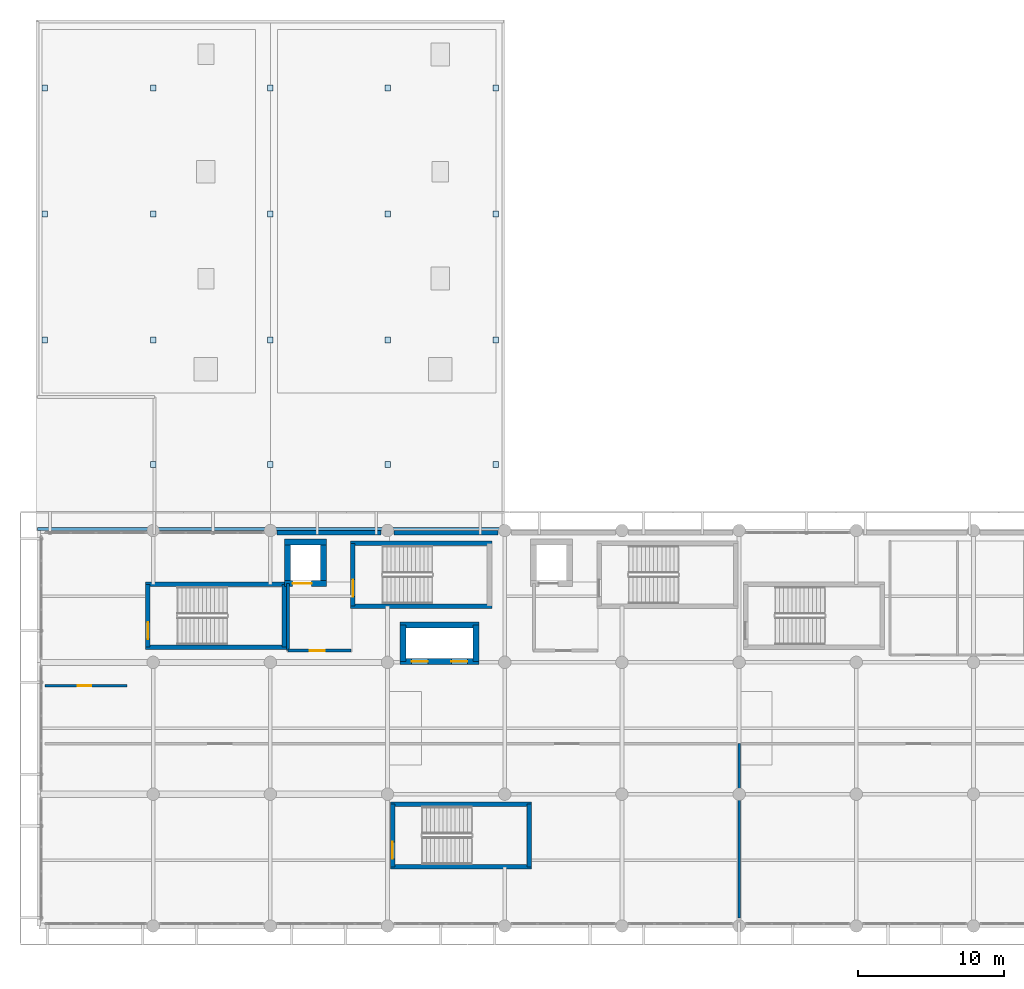
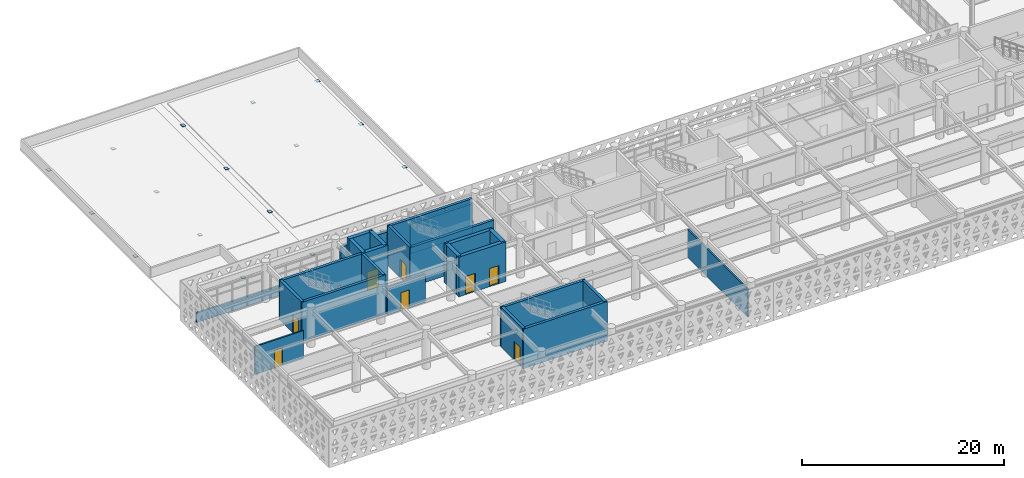
# One storey, part 35 of 54: 26 walls, 19 plates, 8 doors, 8 openings.
"""IFC4 building model written with IfcOpenShell, lengths in metres."""

from ifc_helpers import new_model, si_unit, direction, frame, frame_2d, origin, origin_2d, place, context, subcontext, project, spatial, rectangle, extrude, material, layer, layer_set, type_object, element, fill, save


model = new_model("IFC4")

# Units and contexts
model_context = context("Model", 3, precision=1e-05, world=origin(), true_north=direction((0.0, 1.0)))
body_context = subcontext(model_context, "Body", "Model", "MODEL_VIEW")
ifc_project = project(units=[si_unit("LENGTHUNIT", "METRE"), si_unit("AREAUNIT", "SQUARE_METRE"), si_unit("VOLUMEUNIT", "CUBIC_METRE"), si_unit("PLANEANGLEUNIT", "RADIAN"), si_unit("MASSUNIT", "GRAM", prefix="KILO")], contexts=[model_context])

# Site, building, storey
site_placement = place(None, origin())
site = spatial("IfcSite", under=ifc_project, at=site_placement, CompositionType="ELEMENT")
building_placement = place(site_placement, origin())
building = spatial("IfcBuilding", under=site, at=building_placement, Name="Tlacozan Convention Centre", CompositionType="ELEMENT")
storey_placement = place(building_placement, frame((0.0, 0.0, 11.39990234375)))
storey = spatial("IfcBuildingStorey", under=building, at=storey_placement, Name="L02", CompositionType="ELEMENT", Elevation=11.39990234375)

# Plates
ifc_material_1 = material(Name="Steel ASTM A572 Grade 50", Category="steel")
ifc_layer_1 = layer(ifc_material_1, 0.034912109375)
ifc_layer_set_1 = layer_set([ifc_layer_1], Name="Steel ASTM A572 Grade 50")
plate_type = type_object("IfcPlateType", Name="Arch Crown Splice Gusset Plate", PredefinedType="SHEET", material=ifc_layer_set_1)
for number, where, z_axis, x_axis, name in (
    (1, (0.60009765625, 40.0, 0.0), (0.0, 0.0, 1.0), (1.0, 0.0, 0.0), "L01 Hollow Column Top Cap Plate 30"),
    (2, (0.60009765625, 48.60009765625, 0.0), (0.0, 0.0, 1.0), (1.0, 0.0, 0.0), "L01 Hollow Column Top Cap Plate 33"),
    (3, (0.60009765625, 57.199951171875, 0.0), (0.0, 0.0, 1.0), (1.0, 0.0, 0.0), "L01 Hollow Column Top Cap Plate 36"),
    (4, (8.0, 31.5, 0.0), (0.0, 0.0, 1.0), (1.0, 0.0, 0.0), "L01 Hollow Column Top Cap Plate 63"),
    (5, (8.0, 40.0, 0.0), (0.0, 0.0, 1.0), (1.0, 0.0, 0.0), "L01 Hollow Column Top Cap Plate 66"),
    (6, (8.0, 48.60009765625, 0.0), (0.0, 0.0, 1.0), (1.0, 0.0, 0.0), "L01 Hollow Column Top Cap Plate 69"),
    (7, (8.0, 57.199951171875, 0.0), (0.0, 0.0, 1.0), (1.0, 0.0, 0.0), "L01 Hollow Column Top Cap Plate 72"),
    (8, (16.0, 31.5, 0.0), (0.0, 0.0, 1.0), (1.0, 0.0, 0.0), "L01 Hollow Column Top Cap Plate 112"),
    (9, (16.0, 40.0, 0.0), (0.0, 0.0, 1.0), (1.0, 0.0, 0.0), "L01 Hollow Column Top Cap Plate 115"),
    (10, (16.0, 48.60009765625, 0.0), (0.0, 0.0, 1.0), (1.0, 0.0, 0.0), "L01 Hollow Column Top Cap Plate 118"),
    (11, (16.0, 57.199951171875, 0.0), (0.0, 0.0, 1.0), (1.0, 0.0, 0.0), "L01 Hollow Column Top Cap Plate 121"),
    (12, (24.0, 31.5, 0.0), (0.0, 0.0, 1.0), (1.0, 0.0, 0.0), "L01 Hollow Column Top Cap Plate 161"),
    (13, (24.0, 40.0, 0.0), (0.0, 0.0, 1.0), (1.0, 0.0, 0.0), "L01 Hollow Column Top Cap Plate 164"),
    (14, (24.0, 48.60009765625, 0.0), (0.0, 0.0, 1.0), (1.0, 0.0, 0.0), "L01 Hollow Column Top Cap Plate 167"),
    (15, (24.0, 57.199951171875, 0.0), (0.0, 0.0, 1.0), (1.0, 0.0, 0.0), "L01 Hollow Column Top Cap Plate 170"),
    (16, (31.39990234375, 31.5, 0.0), (0.0, 0.0, 1.0), (1.0, 0.0, 0.0), "L01 Hollow Column Top Cap Plate 186"),
    (17, (31.39990234375, 40.0, 0.0), (0.0, 0.0, 1.0), (1.0, 0.0, 0.0), "L01 Hollow Column Top Cap Plate 189"),
    (18, (31.39990234375, 48.60009765625, 0.0), (0.0, 0.0, 1.0), (1.0, 0.0, 0.0), "L01 Hollow Column Top Cap Plate 192"),
    (19, (31.39990234375, 57.199951171875, 0.0), (0.0, 0.0, 1.0), (1.0, 0.0, 0.0), "L01 Hollow Column Top Cap Plate 195"),
):
    element("IfcPlate", number, at=place(storey_placement, frame(where, z_axis=z_axis, x_axis=x_axis)), inside=storey, type_object=plate_type, Name=name, PredefinedType="SHEET", context=body_context, shape_type="SweptSolid", body=[
        extrude(rectangle(XDim=0.3798828125, YDim=0.419921875, at=origin_2d()), origin(), (0.0, 0.0, 1.0), 0.034912109375),
    ])

# Walls
ifc_material_2 = material(Name="Volcanic Cantera Stone Masonry", Category="masonry")
ifc_layer_2 = layer(ifc_material_2, 0.300048828125)
ifc_layer_set_2 = layer_set([ifc_layer_2], Name="Volcanic Cantera Stone Masonry")
wall_type_1 = type_object("IfcWallType", Name="Congress Spandrel Backup Wall 300", PredefinedType="SOLIDWALL", material=ifc_layer_set_2)
for number, where, z_axis, x_axis, name in (
    (20, (16.449951171875, 26.840087890625, 0.0), (0.0, 0.0, 1.0), (1.0, 0.0, 0.0), "L02 Congress Spandrel Backup Wall 300 116"),
    (21, (24.449951171875, 26.840087890625, 0.0), (0.0, 0.0, 1.0), (1.0, 0.0, 0.0), "L02 Congress Spandrel Backup Wall 300 117"),
):
    element("IfcWall", number, at=place(storey_placement, frame(where, z_axis=z_axis, x_axis=x_axis)), inside=storey, type_object=wall_type_1, Name=name, PredefinedType="SOLIDWALL", context=body_context, shape_type="SweptSolid", body=[
        extrude(rectangle(XDim=7.10009765625, YDim=0.300048828125, at=frame_2d((3.550048828125, 0.0))), origin(), (0.0, 0.0, 1.0), 3.590087890625),
    ])

# Wall, opening, door
ifc_material_3 = material(Name="Concrete C40/50", Category="concrete")
ifc_layer_3 = layer(ifc_material_3, 0.409912109375)
ifc_layer_set_3 = layer_set([ifc_layer_3], Name="Concrete C40/50")
wall_type_2 = type_object("IfcWallType", Name="Core Shear Wall RC 410", PredefinedType="SHEAR", material=ifc_layer_set_3)
wall_1_placement = place(storey_placement, frame((16.97509765625, 23.3798828125, 0.0), z_axis=(0.0, 0.0, 1.0), x_axis=(1.0, 0.0, 0.0)))
wall_1 = element("IfcWall", 22, at=wall_1_placement, inside=storey, type_object=wall_type_2, Name="L02 Core Shear Wall RC 410 49", PredefinedType="SHEAR", context=body_context, shape_type="SweptSolid", body=[
    extrude(rectangle(XDim=2.849853515625, YDim=0.409912109375, at=frame_2d((1.4248046875, 0.0))), origin(), (0.0, 0.0, 1.0), 4.800048828125),
])
opening_1_placement = place(wall_1_placement, frame((0.550048828125, 0.0, 0.0)))
opening_1 = element("IfcOpeningElement", 23, at=opening_1_placement, cuts=wall_1, Name="Opening LD-02", PredefinedType="OPENING", context=body_context, shape_type="SweptSolid", body=[
    extrude(rectangle(XDim=1.300048828125, YDim=2.25, at=frame_2d((0.64990234375, 1.125))), frame((0.0, 0.21484375, 0.0), z_axis=(0.0, -1.0, 0.0), x_axis=(1.0, 0.0, 0.0)), (0.0, 0.0, 1.0), 0.429931640625),
])
ifc_material_4 = material(Name="Brushed Stainless Steel Sliding Landing Door", Category="steel")
door_type_1 = type_object("IfcDoorType", Name="Firefighting Lift Sliding Door 1300x2250", OperationType="DOUBLE_DOOR_SLIDING", PredefinedType="DOOR", material=ifc_material_4)
door_1_placement = place(opening_1_placement, origin())
door_1 = element("IfcDoor", 24, at=door_1_placement, inside=storey, type_object=door_type_1, Name="L02 Firefighting Lift FL-01 Landing Door", OperationType="DOUBLE_DOOR_SLIDING", OverallHeight=2.25, OverallWidth=1.300048828125, PredefinedType="DOOR", context=body_context, shape_type="SweptSolid", body=[
    extrude(rectangle(XDim=1.300048828125, YDim=2.25, at=frame_2d((0.64990234375, 1.125))), frame((0.0, 0.02490234375, 0.0), z_axis=(0.0, -1.0, 0.0), x_axis=(1.0, 0.0, 0.0)), (0.0, 0.0, 1.0), 0.050048828125),
])
fill(opening_1, door_1)

# Walls
wall_2_placement = place(storey_placement, frame((16.97509765625, 26.219970703125, 0.0), z_axis=(0.0, 0.0, 1.0), x_axis=(1.0, 0.0, 0.0)))
element("IfcWall", 25, at=wall_2_placement, inside=storey, type_object=wall_type_2, Name="L02 Core Shear Wall RC 410 50", PredefinedType="SHEAR", context=body_context, shape_type="SweptSolid", body=[
    extrude(rectangle(XDim=2.849853515625, YDim=0.409912109375, at=frame_2d((1.4248046875, 0.0))), origin(), (0.0, 0.0, 1.0), 4.800048828125),
])
for number, where, z_axis, x_axis, name in (
    (26, (17.179931640625, 23.3798828125, 0.0), (0.0, 0.0, 1.0), (0.0, 1.0, 0.0), "L02 Core Shear Wall RC 410 51"),
    (27, (19.6201171875, 23.3798828125, 0.0), (0.0, 0.0, 1.0), (0.0, 1.0, 0.0), "L02 Core Shear Wall RC 410 52"),
):
    element("IfcWall", number, at=place(storey_placement, frame(where, z_axis=z_axis, x_axis=x_axis)), inside=storey, type_object=wall_type_2, Name=name, PredefinedType="SHEAR", context=body_context, shape_type="SweptSolid", body=[
        extrude(rectangle(XDim=2.840087890625, YDim=0.409912109375, at=frame_2d((1.419921875, 0.0))), origin(), (0.0, 0.0, 1.0), 4.800048828125),
    ])

# Wall, openings, doors
wall_3_placement = place(storey_placement, frame((24.85498046875, 18.06005859375, 0.0), z_axis=(0.0, 0.0, 1.0), x_axis=(1.0, 0.0, 0.0)))
wall_3 = element("IfcWall", 28, at=wall_3_placement, inside=storey, type_object=wall_type_2, Name="L02 Core Shear Wall RC 410 53", PredefinedType="SHEAR", context=body_context, shape_type="SweptSolid", body=[
    extrude(rectangle(XDim=5.39013671875, YDim=0.409912109375, at=frame_2d((2.695068359375, 0.0))), origin(), (0.0, 0.0, 1.0), 4.800048828125),
])
opening_2_placement = place(wall_3_placement, frame((0.794921875, 0.0, 0.0)))
opening_2 = element("IfcOpeningElement", 29, at=opening_2_placement, cuts=wall_3, Name="Opening LD-01", PredefinedType="OPENING", context=body_context, shape_type="SweptSolid", body=[
    extrude(rectangle(XDim=1.10009765625, YDim=2.199951171875, at=frame_2d((0.550048828125, 1.10009765625))), frame((0.0, 0.21484375, 0.0), z_axis=(0.0, -1.0, 0.0), x_axis=(1.0, 0.0, 0.0)), (0.0, 0.0, 1.0), 0.429931640625),
])
opening_3_placement = place(wall_3_placement, frame((3.4951171875, 0.0, 0.0)))
opening_3 = element("IfcOpeningElement", 30, at=opening_3_placement, cuts=wall_3, Name="Opening LD-01", PredefinedType="OPENING", context=body_context, shape_type="SweptSolid", body=[
    extrude(rectangle(XDim=1.10009765625, YDim=2.199951171875, at=frame_2d((0.550048828125, 1.10009765625))), frame((0.0, 0.21484375, 0.0), z_axis=(0.0, -1.0, 0.0), x_axis=(1.0, 0.0, 0.0)), (0.0, 0.0, 1.0), 0.429931640625),
])
door_type_2 = type_object("IfcDoorType", Name="Lift Sliding Landing Door 1100x2200", OperationType="DOUBLE_DOOR_SLIDING", PredefinedType="DOOR", material=ifc_material_4)
door_2_placement = place(opening_2_placement, origin())
door_2 = element("IfcDoor", 31, at=door_2_placement, inside=storey, type_object=door_type_2, Name="L02 Lift PL-01 Landing Door", OperationType="DOUBLE_DOOR_SLIDING", OverallHeight=2.199951171875, OverallWidth=1.10009765625, PredefinedType="DOOR", context=body_context, shape_type="SweptSolid", body=[
    extrude(rectangle(XDim=1.10009765625, YDim=2.199951171875, at=frame_2d((0.550048828125, 1.10009765625))), frame((0.0, 0.02490234375, 0.0), z_axis=(0.0, -1.0, 0.0), x_axis=(1.0, 0.0, 0.0)), (0.0, 0.0, 1.0), 0.050048828125),
])
fill(opening_2, door_2)
door_3_placement = place(opening_3_placement, origin())
door_3 = element("IfcDoor", 32, at=door_3_placement, inside=storey, type_object=door_type_2, Name="L02 Lift PL-02 Landing Door", OperationType="DOUBLE_DOOR_SLIDING", OverallHeight=2.199951171875, OverallWidth=1.10009765625, PredefinedType="DOOR", context=body_context, shape_type="SweptSolid", body=[
    extrude(rectangle(XDim=1.10009765625, YDim=2.199951171875, at=frame_2d((0.550048828125, 1.10009765625))), frame((0.0, 0.02490234375, 0.0), z_axis=(0.0, -1.0, 0.0), x_axis=(1.0, 0.0, 0.0)), (0.0, 0.0, 1.0), 0.050048828125),
])
fill(opening_3, door_3)

# Walls
wall_4_placement = place(storey_placement, frame((24.85498046875, 20.5400390625, 0.0), z_axis=(0.0, 0.0, 1.0), x_axis=(1.0, 0.0, 0.0)))
element("IfcWall", 33, at=wall_4_placement, inside=storey, type_object=wall_type_2, Name="L02 Core Shear Wall RC 410 54", PredefinedType="SHEAR", context=body_context, shape_type="SweptSolid", body=[
    extrude(rectangle(XDim=5.39013671875, YDim=0.409912109375, at=frame_2d((2.695068359375, 0.0))), origin(), (0.0, 0.0, 1.0), 4.800048828125),
])
for number, where, z_axis, x_axis, name in (
    (34, (25.06005859375, 18.06005859375, 0.0), (0.0, 0.0, 1.0), (0.0, 1.0, 0.0), "L02 Core Shear Wall RC 410 55"),
    (35, (30.0400390625, 18.06005859375, 0.0), (0.0, 0.0, 1.0), (0.0, 1.0, 0.0), "L02 Core Shear Wall RC 410 56"),
):
    element("IfcWall", number, at=place(storey_placement, frame(where, z_axis=z_axis, x_axis=x_axis)), inside=storey, type_object=wall_type_2, Name=name, PredefinedType="SHEAR", context=body_context, shape_type="SweptSolid", body=[
        extrude(rectangle(XDim=2.47998046875, YDim=0.409912109375, at=frame_2d((1.239990234375, 0.0))), origin(), (0.0, 0.0, 1.0), 4.800048828125),
    ])

# Wall, opening, door
ifc_material_5 = material(Name="Fire-Rated Gypsum Stud Partition Assembly")
ifc_layer_4 = layer(ifc_material_5, 0.2099609375)
ifc_layer_set_4 = layer_set([ifc_layer_4], Name="Fire-Rated Gypsum Stud Partition Assembly")
wall_type_3 = type_object("IfcWallType", Name="Firefighting Lobby Rated Wall 210", PredefinedType="PARTITIONING", material=ifc_layer_set_4)
wall_5_placement = place(storey_placement, frame((17.199951171875, 18.800048828125, 0.0), z_axis=(0.0, 0.0, 1.0), x_axis=(1.0, 0.0, 0.0)))
wall_5 = element("IfcWall", 36, at=wall_5_placement, inside=storey, type_object=wall_type_3, Name="L02 Firefighting Lobby Rated Wall 210 47", PredefinedType="PARTITIONING", context=body_context, shape_type="SweptSolid", body=[
    extrude(rectangle(XDim=4.300048828125, YDim=0.2099609375, at=frame_2d((2.14990234375, 0.0))), origin(), (0.0, 0.0, 1.0), 3.400146484375),
])
opening_4_placement = place(wall_5_placement, frame((1.5, 0.0, 0.0)))
opening_4 = element("IfcOpeningElement", 37, at=opening_4_placement, cuts=wall_5, Name="Opening FD-01", PredefinedType="OPENING", context=body_context, shape_type="SweptSolid", body=[
    extrude(rectangle(XDim=1.0, YDim=2.14990234375, at=frame_2d((0.5, 1.074951171875))), frame((0.0, 0.114990234375, 0.0), z_axis=(0.0, -1.0, 0.0), x_axis=(1.0, 0.0, 0.0)), (0.0, 0.0, 1.0), 0.22998046875),
])
ifc_material_6 = material(Name="Fire-Rated Insulated Steel Door Leaf", Category="steel")
door_type_3 = type_object("IfcDoorType", Name="Fire Door Single 1000x2150 FD90", OperationType="NOTDEFINED", PredefinedType="DOOR", material=ifc_material_6)
door_4_placement = place(opening_4_placement, origin())
door_4 = element("IfcDoor", 38, at=door_4_placement, inside=storey, type_object=door_type_3, Name="L02 CORE-1 Firefighting Lobby Entry Door", OperationType="SINGLE_SWING_RIGHT", OverallHeight=2.14990234375, OverallWidth=1.0, PredefinedType="DOOR", context=body_context, shape_type="SweptSolid", body=[
    extrude(rectangle(XDim=1.0, YDim=2.14990234375, at=frame_2d((0.5, 1.074951171875))), frame((0.0, 0.02490234375, 0.0), z_axis=(0.0, -1.0, 0.0), x_axis=(1.0, 0.0, 0.0)), (0.0, 0.0, 1.0), 0.050048828125),
])
fill(opening_4, door_4)

# Walls
wall_6_placement = place(storey_placement, frame((17.199951171875, 18.800048828125, 0.0), z_axis=(0.0, 0.0, 1.0), x_axis=(0.0, 1.0, 0.0)))
element("IfcWall", 39, at=wall_6_placement, inside=storey, type_object=wall_type_3, Name="L02 Firefighting Lobby Rated Wall 210 48", PredefinedType="PARTITIONING", context=body_context, shape_type="SweptSolid", body=[
    extrude(rectangle(XDim=4.599853515625, YDim=0.2099609375, at=frame_2d((2.2998046875, 0.0))), origin(), (0.0, 0.0, 1.0), 3.400146484375),
])
ifc_material_7 = material(Name="Acoustic Double-Stud Partition Assembly")
ifc_layer_5 = layer(ifc_material_7, 0.159912109375)
ifc_layer_set_5 = layer_set([ifc_layer_5], Name="Acoustic Double-Stud Partition Assembly")
wall_type_4 = type_object("IfcWallType", Name="Meeting Acoustic Partition 160", PredefinedType="PARTITIONING", material=ifc_layer_set_5)
wall_7_placement = place(storey_placement, frame((48.0, 0.550048828125, 0.0), z_axis=(0.0, 0.0, 1.0), x_axis=(0.0, 1.0, 0.0)))
element("IfcWall", 40, at=wall_7_placement, inside=storey, type_object=wall_type_4, Name="L02 Meeting Acoustic Partition 160 595", PredefinedType="PARTITIONING", context=body_context, shape_type="SweptSolid", body=[
    extrude(rectangle(XDim=11.89990234375, YDim=0.159912109375, at=frame_2d((5.949951171875, 0.0))), origin(), (0.0, 0.0, 1.0), 3.400146484375),
])

# Wall, opening, door
wall_8_placement = place(storey_placement, frame((0.60009765625, 16.39990234375, 0.0), z_axis=(0.0, 0.0, 1.0), x_axis=(1.0, 0.0, 0.0)))
wall_8 = element("IfcWall", 41, at=wall_8_placement, inside=storey, type_object=wall_type_4, Name="L02 Meeting Acoustic Partition 160 598", PredefinedType="PARTITIONING", context=body_context, shape_type="SweptSolid", body=[
    extrude(rectangle(XDim=5.599853515625, YDim=0.159912109375, at=frame_2d((2.7998046875, 0.0))), origin(), (0.0, 0.0, 1.0), 3.400146484375),
])
opening_5_placement = place(wall_8_placement, frame((2.25, 0.0, 0.0)))
opening_5 = element("IfcOpeningElement", 42, at=opening_5_placement, cuts=wall_8, Name="Opening ID-14", PredefinedType="OPENING", context=body_context, shape_type="SweptSolid", body=[
    extrude(rectangle(XDim=0.919921875, YDim=2.14990234375, at=frame_2d((0.4599609375, 1.074951171875))), frame((0.0, 0.08984375, 0.0), z_axis=(0.0, -1.0, 0.0), x_axis=(1.0, 0.0, 0.0)), (0.0, 0.0, 1.0), 0.179931640625),
])
ifc_material_8 = material(Name="Acoustic Solid-Core Oak Veneer Door")
door_type_4 = type_object("IfcDoorType", Name="Interpretation Booth Door 920x2150", OperationType="NOTDEFINED", PredefinedType="DOOR", material=ifc_material_8)
door_5_placement = place(opening_5_placement, origin())
door_5 = element("IfcDoor", 43, at=door_5_placement, inside=storey, type_object=door_type_4, Name="L02 Interpretation Booth Door 920x2150 192", OperationType="SINGLE_SWING_LEFT", OverallHeight=2.14990234375, OverallWidth=0.919921875, PredefinedType="DOOR", context=body_context, shape_type="SweptSolid", body=[
    extrude(rectangle(XDim=0.919921875, YDim=2.14990234375, at=frame_2d((0.4599609375, 1.074951171875))), frame((0.0, 0.02490234375, 0.0), z_axis=(0.0, -1.0, 0.0), x_axis=(1.0, 0.0, 0.0)), (0.0, 0.0, 1.0), 0.050048828125),
])
fill(opening_5, door_5)

# Walls
ifc_material_9 = material(Name="Pale Lime-Render Masonry Assembly", Category="masonry")
ifc_layer_6 = layer(ifc_material_9, 0.199951171875)
ifc_layer_set_6 = layer_set([ifc_layer_6], Name="Pale Lime-Render Masonry Assembly")
wall_type_5 = type_object("IfcWallType", Name="Service Roof Parapet Wall 200", PredefinedType="PARAPET", material=ifc_layer_set_6)
wall_9_placement = place(storey_placement, frame((0.10009765625, 27.10009765625, 0.0), z_axis=(0.0, 0.0, 1.0), x_axis=(1.0, 0.0, 0.0)))
element("IfcWall", 44, at=wall_9_placement, inside=storey, type_object=wall_type_5, Name="L02 Service Roof Parapet Wall 200 209", PredefinedType="PARAPET", context=body_context, shape_type="SweptSolid", body=[
    extrude(rectangle(XDim=31.7998046875, YDim=0.199951171875, at=frame_2d((15.89990234375, 0.0))), origin(), (0.0, 0.0, 1.0), 1.150146484375),
])
ifc_layer_7 = layer(ifc_material_3, 0.31005859375)
ifc_layer_set_7 = layer_set([ifc_layer_7], Name="Concrete C40/50")
wall_type_6 = type_object("IfcWallType", Name="Stair Shaft Shear Wall RC 310", PredefinedType="SHEAR", material=ifc_layer_set_7)
for number, where, z_axis, x_axis, name in (
    (45, (21.485107421875, 21.840087890625, 0.0), (0.0, 0.0, 1.0), (1.0, 0.0, 0.0), "L02 Stair Shaft Shear Wall RC 310 43"),
    (46, (21.485107421875, 26.1201171875, 0.0), (0.0, 0.0, 1.0), (1.0, 0.0, 0.0), "L02 Stair Shaft Shear Wall RC 310 44"),
):
    element("IfcWall", number, at=place(storey_placement, frame(where, z_axis=z_axis, x_axis=x_axis)), inside=storey, type_object=wall_type_6, Name=name, PredefinedType="SHEAR", context=body_context, shape_type="SweptSolid", body=[
        extrude(rectangle(XDim=9.6298828125, YDim=0.31005859375, at=frame_2d((4.81494140625, 0.0))), origin(), (0.0, 0.0, 1.0), 4.800048828125),
    ])

# Wall, opening, door
wall_10_placement = place(storey_placement, frame((21.639892578125, 21.840087890625, 0.0), z_axis=(0.0, 0.0, 1.0), x_axis=(0.0, 1.0, 0.0)))
wall_10 = element("IfcWall", 47, at=wall_10_placement, inside=storey, type_object=wall_type_6, Name="L02 Stair Shaft Shear Wall RC 310 45", PredefinedType="SHEAR", context=body_context, shape_type="SweptSolid", body=[
    extrude(rectangle(XDim=4.280029296875, YDim=0.31005859375, at=frame_2d((2.14013671875, 0.0))), origin(), (0.0, 0.0, 1.0), 4.800048828125),
])
opening_6_placement = place(wall_10_placement, frame((0.64990234375, 0.0, 0.0)))
opening_6 = element("IfcOpeningElement", 48, at=opening_6_placement, cuts=wall_10, Name="Opening FD-02", PredefinedType="OPENING", context=body_context, shape_type="SweptSolid", body=[
    extrude(rectangle(XDim=1.14990234375, YDim=2.199951171875, at=frame_2d((0.574951171875, 1.10009765625))), frame((0.0, 0.1650390625, 0.0), z_axis=(0.0, -1.0, 0.0), x_axis=(1.0, 0.0, 0.0)), (0.0, 0.0, 1.0), 0.330078125),
])
door_type_5 = type_object("IfcDoorType", Name="Fire Door Stair 1150x2200 FD90", OperationType="NOTDEFINED", PredefinedType="DOOR", material=ifc_material_6)
door_6_placement = place(opening_6_placement, origin())
door_6 = element("IfcDoor", 49, at=door_6_placement, inside=storey, type_object=door_type_5, Name="L02 Stair ST-01 Fire Door", OperationType="SINGLE_SWING_LEFT", OverallHeight=2.199951171875, OverallWidth=1.14990234375, PredefinedType="DOOR", context=body_context, shape_type="SweptSolid", body=[
    extrude(rectangle(XDim=1.14990234375, YDim=2.199951171875, at=frame_2d((0.574951171875, 1.10009765625))), frame((0.0, 0.02490234375, 0.0), z_axis=(0.0, -1.0, 0.0), x_axis=(1.0, 0.0, 0.0)), (0.0, 0.0, 1.0), 0.050048828125),
])
fill(opening_6, door_6)

# Walls
for number, where, z_axis, x_axis, name in (
    (50, (7.485107421875, 19.0400390625, 0.0), (0.0, 0.0, 1.0), (1.0, 0.0, 0.0), "L02 Stair Shaft Shear Wall RC 310 297"),
    (51, (7.485107421875, 23.320068359375, 0.0), (0.0, 0.0, 1.0), (1.0, 0.0, 0.0), "L02 Stair Shaft Shear Wall RC 310 298"),
):
    element("IfcWall", number, at=place(storey_placement, frame(where, z_axis=z_axis, x_axis=x_axis)), inside=storey, type_object=wall_type_6, Name=name, PredefinedType="SHEAR", context=body_context, shape_type="SweptSolid", body=[
        extrude(rectangle(XDim=9.6298828125, YDim=0.31005859375, at=frame_2d((4.81494140625, 0.0))), origin(), (0.0, 0.0, 1.0), 4.800048828125),
    ])

# Wall, opening, door
wall_11_placement = place(storey_placement, frame((7.639892578125, 19.0400390625, 0.0), z_axis=(0.0, 0.0, 1.0), x_axis=(0.0, 1.0, 0.0)))
wall_11 = element("IfcWall", 52, at=wall_11_placement, inside=storey, type_object=wall_type_6, Name="L02 Stair Shaft Shear Wall RC 310 299", PredefinedType="SHEAR", context=body_context, shape_type="SweptSolid", body=[
    extrude(rectangle(XDim=4.280029296875, YDim=0.31005859375, at=frame_2d((2.14013671875, 0.0))), origin(), (0.0, 0.0, 1.0), 4.800048828125),
])
opening_7_placement = place(wall_11_placement, frame((0.550048828125, 0.0, 0.0)))
opening_7 = element("IfcOpeningElement", 53, at=opening_7_placement, cuts=wall_11, Name="Opening FD-02", PredefinedType="OPENING", context=body_context, shape_type="SweptSolid", body=[
    extrude(rectangle(XDim=1.14990234375, YDim=2.199951171875, at=frame_2d((0.574951171875, 1.10009765625))), frame((0.0, 0.1650390625, 0.0), z_axis=(0.0, -1.0, 0.0), x_axis=(1.0, 0.0, 0.0)), (0.0, 0.0, 1.0), 0.330078125),
])
door_7_placement = place(opening_7_placement, origin())
door_7 = element("IfcDoor", 54, at=door_7_placement, inside=storey, type_object=door_type_5, Name="L02 Stair ST-13 Access Door", OperationType="SINGLE_SWING_LEFT", OverallHeight=2.199951171875, OverallWidth=1.14990234375, PredefinedType="DOOR", context=body_context, shape_type="SweptSolid", body=[
    extrude(rectangle(XDim=1.14990234375, YDim=2.199951171875, at=frame_2d((0.574951171875, 1.10009765625))), frame((0.0, 0.02490234375, 0.0), z_axis=(0.0, -1.0, 0.0), x_axis=(1.0, 0.0, 0.0)), (0.0, 0.0, 1.0), 0.050048828125),
])
fill(opening_7, door_7)

# Walls
wall_12_placement = place(storey_placement, frame((16.9599609375, 19.0400390625, 0.0), z_axis=(0.0, 0.0, 1.0), x_axis=(0.0, 1.0, 0.0)))
element("IfcWall", 55, at=wall_12_placement, inside=storey, type_object=wall_type_6, Name="L02 Stair Shaft Shear Wall RC 310 300", PredefinedType="SHEAR", context=body_context, shape_type="SweptSolid", body=[
    extrude(rectangle(XDim=4.280029296875, YDim=0.31005859375, at=frame_2d((2.14013671875, 0.0))), origin(), (0.0, 0.0, 1.0), 4.800048828125),
])
for number, where, z_axis, x_axis, name in (
    (56, (24.18505859375, 4.0400390625, 0.0), (0.0, 0.0, 1.0), (1.0, 0.0, 0.0), "L02 Stair Shaft Shear Wall RC 310 365"),
    (57, (24.18505859375, 8.320068359375, 0.0), (0.0, 0.0, 1.0), (1.0, 0.0, 0.0), "L02 Stair Shaft Shear Wall RC 310 366"),
):
    element("IfcWall", number, at=place(storey_placement, frame(where, z_axis=z_axis, x_axis=x_axis)), inside=storey, type_object=wall_type_6, Name=name, PredefinedType="SHEAR", context=body_context, shape_type="SweptSolid", body=[
        extrude(rectangle(XDim=9.6298828125, YDim=0.31005859375, at=frame_2d((4.81494140625, 0.0))), origin(), (0.0, 0.0, 1.0), 4.800048828125),
    ])

# Wall, opening, door
wall_13_placement = place(storey_placement, frame((24.340087890625, 4.0400390625, 0.0), z_axis=(0.0, 0.0, 1.0), x_axis=(0.0, 1.0, 0.0)))
wall_13 = element("IfcWall", 58, at=wall_13_placement, inside=storey, type_object=wall_type_6, Name="L02 Stair Shaft Shear Wall RC 310 367", PredefinedType="SHEAR", context=body_context, shape_type="SweptSolid", body=[
    extrude(rectangle(XDim=4.280029296875, YDim=0.31005859375, at=frame_2d((2.14013671875, 0.0))), origin(), (0.0, 0.0, 1.0), 4.800048828125),
])
opening_8_placement = place(wall_13_placement, frame((0.550048828125, 0.0, 0.0)))
opening_8 = element("IfcOpeningElement", 59, at=opening_8_placement, cuts=wall_13, Name="Opening FD-02", PredefinedType="OPENING", context=body_context, shape_type="SweptSolid", body=[
    extrude(rectangle(XDim=1.14990234375, YDim=2.199951171875, at=frame_2d((0.574951171875, 1.10009765625))), frame((0.0, 0.1650390625, 0.0), z_axis=(0.0, -1.0, 0.0), x_axis=(1.0, 0.0, 0.0)), (0.0, 0.0, 1.0), 0.330078125),
])
door_8_placement = place(opening_8_placement, origin())
door_8 = element("IfcDoor", 60, at=door_8_placement, inside=storey, type_object=door_type_5, Name="L02 Stair ST-16 Access Door", OperationType="SINGLE_SWING_RIGHT", OverallHeight=2.199951171875, OverallWidth=1.14990234375, PredefinedType="DOOR", context=body_context, shape_type="SweptSolid", body=[
    extrude(rectangle(XDim=1.14990234375, YDim=2.199951171875, at=frame_2d((0.574951171875, 1.10009765625))), frame((0.0, 0.02490234375, 0.0), z_axis=(0.0, -1.0, 0.0), x_axis=(1.0, 0.0, 0.0)), (0.0, 0.0, 1.0), 0.050048828125),
])
fill(opening_8, door_8)

# Wall
wall_14_placement = place(storey_placement, frame((33.659912109375, 4.0400390625, 0.0), z_axis=(0.0, 0.0, 1.0), x_axis=(0.0, 1.0, 0.0)))
element("IfcWall", 61, at=wall_14_placement, inside=storey, type_object=wall_type_6, Name="L02 Stair Shaft Shear Wall RC 310 368", PredefinedType="SHEAR", context=body_context, shape_type="SweptSolid", body=[
    extrude(rectangle(XDim=4.280029296875, YDim=0.31005859375, at=frame_2d((2.14013671875, 0.0))), origin(), (0.0, 0.0, 1.0), 4.800048828125),
])

save(model, "model.ifc")
